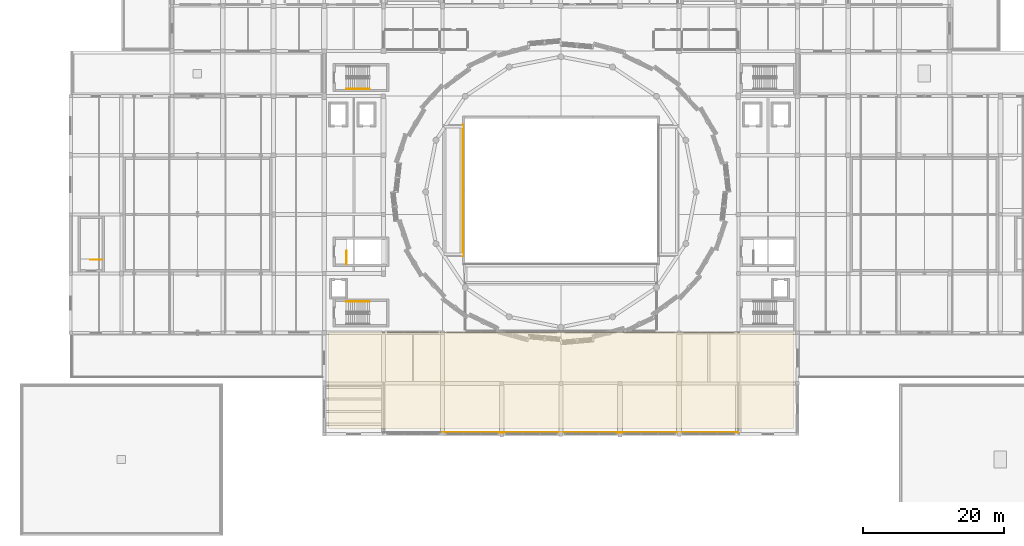
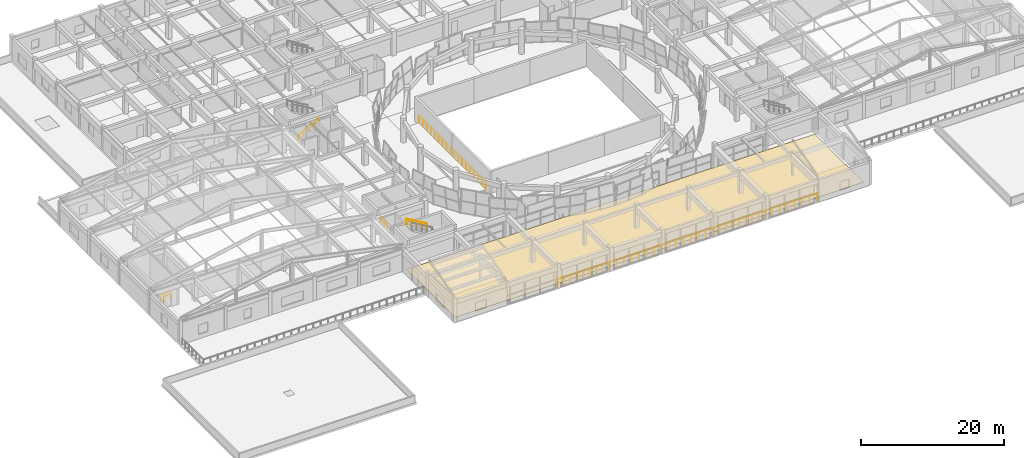
# One storey, part 69 of 74: 10 railings, 1 covering.
"""IFC4 building model written with IfcOpenShell, lengths in metres."""

from ifc_helpers import new_model, si_unit, direction, frame, origin, origin_2d, place, context, subcontext, project, spatial, polyline, circle, outline, extrude, material, layer, layer_set, type_object, element, save


model = new_model("IFC4")

# Units and contexts
model_context = context("Model", 3, precision=1e-05, world=origin(), true_north=direction((0.0, 1.0)))
body_context = subcontext(model_context, "Body", "Model", "MODEL_VIEW")
ifc_project = project(units=[si_unit("LENGTHUNIT", "METRE"), si_unit("AREAUNIT", "SQUARE_METRE"), si_unit("VOLUMEUNIT", "CUBIC_METRE"), si_unit("PLANEANGLEUNIT", "RADIAN"), si_unit("MASSUNIT", "GRAM", prefix="KILO")], contexts=[model_context])

# Site, building, storey
site_placement = place(None, origin())
site = spatial("IfcSite", under=ifc_project, at=site_placement, CompositionType="ELEMENT")
building_placement = place(site_placement, origin())
building = spatial("IfcBuilding", under=site, at=building_placement, Name="Korsvaeld Concert Hall", CompositionType="ELEMENT")
storey_placement = place(building_placement, frame((0.0, 0.0, 9.0)))
storey = spatial("IfcBuildingStorey", under=building, at=storey_placement, Name="L02", CompositionType="ELEMENT", Elevation=9.0)

# Covering
ifc_material_1 = material(Name="Sprung European oak stage and foyer flooring")
ifc_layer = layer(ifc_material_1, 0.034912109375)
ifc_layer_set = layer_set([ifc_layer], Name="Sprung European oak stage and foyer flooring")
covering_type = type_object("IfcCoveringType", Name="COV-FLOOR-OAK", PredefinedType="FLOORING", material=ifc_layer_set)
covering_placement = place(storey_placement, origin())
element("IfcCovering", 1, at=covering_placement, inside=storey, type_object=covering_type, Name="Sprung oak acoustic floor L02-03", PredefinedType="FLOORING", context=body_context, shape_type="SweptSolid", body=[
    extrude(outline(polyline([(51.0, 29.60009765625), (51.0, 43.199951171875), (117.0, 43.199951171875), (117.0, 29.60009765625), (51.0, 29.60009765625)])), origin(), (0.0, 0.0, 1.0), 0.034912109375),
])

# Railings
ifc_material_2 = material(Name="Powder-coated steel and bronze stair guardrail", Category="steel")
railing_type_1 = type_object("IfcRailingType", Name="RL-STAIR-GUARD-120", PredefinedType="GUARDRAIL", material=ifc_material_2)
railing_1_placement = place(storey_placement, frame((53.570068359375, 52.969970703125, 0.0)))
element("IfcRailing", 2, at=railing_1_placement, inside=storey, type_object=railing_type_1, Name="L02 ST-F1 top well guard 1", PredefinedType="GUARDRAIL", context=body_context, shape_type="SweptSolid", body=[
    extrude(circle(Radius=0.02392578125, at=origin_2d()), frame((0.0, 0.0, 1.076171875), z_axis=(0.0, 1.0, 0.0), x_axis=(-1.0, 0.0, 0.0)), (0.0, 0.0, 1.0), 1.85009765625),
    extrude(circle(Radius=0.02099609375, at=origin_2d()), origin(), (0.0, 0.0, 1.0), 1.052001953125),
    extrude(circle(Radius=0.02099609375, at=origin_2d()), frame((0.0, 0.925048828125, 0.0)), (0.0, 0.0, 1.0), 1.052001953125),
    extrude(circle(Radius=0.02099609375, at=origin_2d()), frame((0.0, 1.85009765625, 0.0)), (0.0, 0.0, 1.0), 1.052001953125),
])
railing_2_placement = place(storey_placement, frame((18.8701171875, 53.570068359375, 0.0)))
element("IfcRailing", 3, at=railing_2_placement, inside=storey, type_object=railing_type_1, Name="L02 ST-F3 top well guard 1", PredefinedType="GUARDRAIL", context=body_context, shape_type="SweptSolid", body=[
    extrude(circle(Radius=0.02392578125, at=origin_2d()), frame((0.0, 0.0, 1.076171875), z_axis=(-1.0, 0.0, 0.0), x_axis=(0.0, -1.0, 0.0)), (0.0, 0.0, 1.0), 1.650146484375),
    extrude(circle(Radius=0.02099609375, at=origin_2d()), origin(), (0.0, 0.0, 1.0), 1.052001953125),
    extrude(circle(Radius=0.02099609375, at=origin_2d()), frame((-0.8251953125, 0.0, 0.0)), (0.0, 0.0, 1.0), 1.052001953125),
    extrude(circle(Radius=0.02099609375, at=origin_2d()), frame((-1.650146484375, 0.0, 0.0)), (0.0, 0.0, 1.0), 1.052001953125),
])
ifc_material_3 = material(Name="European oak and bronze stair handrail")
railing_type_2 = type_object("IfcRailingType", Name="RL-STAIR-HAND-90", PredefinedType="HANDRAIL", material=ifc_material_3)
railing_3_placement = place(storey_placement, frame((53.52001953125, 77.820068359375, 0.175048828125)))
element("IfcRailing", 4, at=railing_3_placement, inside=storey, type_object=railing_type_2, Name="L02 ST-K1 stair handrail 1", PredefinedType="HANDRAIL", context=body_context, shape_type="SweptSolid", body=[
    extrude(circle(Radius=0.02392578125, at=origin_2d()), frame((0.0, 0.0, 0.8759765625), z_axis=(0.863776583165, 0.0, 0.503874998761), x_axis=(0.0, 1.0, 0.0)), (0.0, 0.0, 1.0), 3.820556640625),
    extrude(circle(Radius=0.02099609375, at=origin_2d()), origin(), (0.0, 0.0, 1.0), 0.851806640625),
    extrude(circle(Radius=0.02099609375, at=origin_2d()), frame((0.824951171875, 0.0, 0.481201171875)), (0.0, 0.0, 1.0), 0.851806640625),
    extrude(circle(Radius=0.02099609375, at=origin_2d()), frame((1.64990234375, 0.0, 0.96240234375)), (0.0, 0.0, 1.0), 0.851806640625),
    extrude(circle(Radius=0.02099609375, at=origin_2d()), frame((2.47509765625, 0.0, 1.44384765625)), (0.0, 0.0, 1.0), 0.851806640625),
    extrude(circle(Radius=0.02099609375, at=origin_2d()), frame((3.300048828125, 0.0, 1.925048828125)), (0.0, 0.0, 1.0), 0.851806640625),
])
railing_4_placement = place(storey_placement, frame((56.820068359375, 47.6201171875, 2.27490234375)))
element("IfcRailing", 5, at=railing_4_placement, inside=storey, type_object=railing_type_2, Name="L02 ST-K3 stair handrail 2", PredefinedType="HANDRAIL", context=body_context, shape_type="SweptSolid", body=[
    extrude(circle(Radius=0.02392578125, at=origin_2d()), frame((0.0, 0.0, 0.8759765625), z_axis=(-0.863776583165, 0.0, 0.503874998761), x_axis=(0.0, -1.0, 0.0)), (0.0, 0.0, 1.0), 3.820556640625),
    extrude(circle(Radius=0.02099609375, at=origin_2d()), origin(), (0.0, 0.0, 1.0), 0.851806640625),
    extrude(circle(Radius=0.02099609375, at=origin_2d()), frame((-0.824951171875, 0.0, 0.481201171875)), (0.0, 0.0, 1.0), 0.851806640625),
    extrude(circle(Radius=0.02099609375, at=origin_2d()), frame((-1.64990234375, 0.0, 0.96240234375)), (0.0, 0.0, 1.0), 0.851806640625),
    extrude(circle(Radius=0.02099609375, at=origin_2d()), frame((-2.47509765625, 0.0, 1.44384765625)), (0.0, 0.0, 1.0), 0.851806640625),
    extrude(circle(Radius=0.02099609375, at=origin_2d()), frame((-3.300048828125, 0.0, 1.925048828125)), (0.0, 0.0, 1.0), 0.851806640625),
])
ifc_material_4 = material(Name="Anodised architectural bronze guardrail")
railing_type_3 = type_object("IfcRailingType", Name="RL-TERR-GUARD-120", PredefinedType="GUARDRAIL", material=ifc_material_4)
railing_5_placement = place(storey_placement, frame((109.199951171875, 29.050048828125, 0.0)))
element("IfcRailing", 6, at=railing_5_placement, inside=storey, type_object=railing_type_3, Name="Wintergarden glazed front guardrail CW-FOY-L02-13", PredefinedType="GUARDRAIL", context=body_context, shape_type="SweptSolid", body=[
    extrude(circle(Radius=0.02392578125, at=origin_2d()), frame((0.0, 0.0, 1.17578125), z_axis=(-1.0, 0.0, 0.0), x_axis=(0.0, -1.0, 0.0)), (0.0, 0.0, 1.0), 8.39990234375),
    extrude(circle(Radius=0.02099609375, at=origin_2d()), origin(), (0.0, 0.0, 1.0), 1.15185546875),
    extrude(circle(Radius=0.02099609375, at=origin_2d()), frame((-1.199951171875, 0.0, 0.0)), (0.0, 0.0, 1.0), 1.15185546875),
    extrude(circle(Radius=0.02099609375, at=origin_2d()), frame((-2.39990234375, 0.0, 0.0)), (0.0, 0.0, 1.0), 1.15185546875),
    extrude(circle(Radius=0.02099609375, at=origin_2d()), frame((-3.599853515625, 0.0, 0.0)), (0.0, 0.0, 1.0), 1.15185546875),
    extrude(circle(Radius=0.02099609375, at=origin_2d()), frame((-4.800048828125, 0.0, 0.0)), (0.0, 0.0, 1.0), 1.15185546875),
    extrude(circle(Radius=0.02099609375, at=origin_2d()), frame((-6.0, 0.0, 0.0)), (0.0, 0.0, 1.0), 1.15185546875),
    extrude(circle(Radius=0.02099609375, at=origin_2d()), frame((-7.199951171875, 0.0, 0.0)), (0.0, 0.0, 1.0), 1.15185546875),
    extrude(circle(Radius=0.02099609375, at=origin_2d()), frame((-8.39990234375, 0.0, 0.0)), (0.0, 0.0, 1.0), 1.15185546875),
])
railing_6_placement = place(storey_placement, frame((100.800048828125, 29.050048828125, 0.0)))
element("IfcRailing", 7, at=railing_6_placement, inside=storey, type_object=railing_type_3, Name="Wintergarden glazed front guardrail CW-FOY-L02-14", PredefinedType="GUARDRAIL", context=body_context, shape_type="SweptSolid", body=[
    extrude(circle(Radius=0.02392578125, at=origin_2d()), frame((0.0, 0.0, 1.17578125), z_axis=(-1.0, 0.0, 0.0), x_axis=(0.0, -1.0, 0.0)), (0.0, 0.0, 1.0), 8.400146484375),
    extrude(circle(Radius=0.02099609375, at=origin_2d()), origin(), (0.0, 0.0, 1.0), 1.15185546875),
    extrude(circle(Radius=0.02099609375, at=origin_2d()), frame((-1.050048828125, 0.0, 0.0)), (0.0, 0.0, 1.0), 1.15185546875),
    extrude(circle(Radius=0.02099609375, at=origin_2d()), frame((-2.10009765625, 0.0, 0.0)), (0.0, 0.0, 1.0), 1.15185546875),
    extrude(circle(Radius=0.02099609375, at=origin_2d()), frame((-3.150146484375, 0.0, 0.0)), (0.0, 0.0, 1.0), 1.15185546875),
    extrude(circle(Radius=0.02099609375, at=origin_2d()), frame((-4.2001953125, 0.0, 0.0)), (0.0, 0.0, 1.0), 1.15185546875),
    extrude(circle(Radius=0.02099609375, at=origin_2d()), frame((-5.25, 0.0, 0.0)), (0.0, 0.0, 1.0), 1.15185546875),
    extrude(circle(Radius=0.02099609375, at=origin_2d()), frame((-6.300048828125, 0.0, 0.0)), (0.0, 0.0, 1.0), 1.15185546875),
    extrude(circle(Radius=0.02099609375, at=origin_2d()), frame((-7.35009765625, 0.0, 0.0)), (0.0, 0.0, 1.0), 1.15185546875),
    extrude(circle(Radius=0.02099609375, at=origin_2d()), frame((-8.400146484375, 0.0, 0.0)), (0.0, 0.0, 1.0), 1.15185546875),
])
for number, where, name in (
    (8, (92.39990234375, 29.050048828125, 0.0), "Wintergarden glazed front guardrail CW-FOY-L02-15"),
    (9, (84.0, 29.050048828125, 0.0), "Wintergarden glazed front guardrail CW-FOY-L02-16"),
):
    element("IfcRailing", number, at=place(storey_placement, frame(where)), inside=storey, type_object=railing_type_3, Name=name, PredefinedType="GUARDRAIL", context=body_context, shape_type="SweptSolid", body=[
        extrude(circle(Radius=0.02392578125, at=origin_2d()), frame((0.0, 0.0, 1.17578125), z_axis=(-1.0, 0.0, 0.0), x_axis=(0.0, -1.0, 0.0)), (0.0, 0.0, 1.0), 8.39990234375),
        extrude(circle(Radius=0.02099609375, at=origin_2d()), origin(), (0.0, 0.0, 1.0), 1.15185546875),
        extrude(circle(Radius=0.02099609375, at=origin_2d()), frame((-1.199951171875, 0.0, 0.0)), (0.0, 0.0, 1.0), 1.15185546875),
        extrude(circle(Radius=0.02099609375, at=origin_2d()), frame((-2.39990234375, 0.0, 0.0)), (0.0, 0.0, 1.0), 1.15185546875),
        extrude(circle(Radius=0.02099609375, at=origin_2d()), frame((-3.599853515625, 0.0, 0.0)), (0.0, 0.0, 1.0), 1.15185546875),
        extrude(circle(Radius=0.02099609375, at=origin_2d()), frame((-4.800048828125, 0.0, 0.0)), (0.0, 0.0, 1.0), 1.15185546875),
        extrude(circle(Radius=0.02099609375, at=origin_2d()), frame((-6.0, 0.0, 0.0)), (0.0, 0.0, 1.0), 1.15185546875),
        extrude(circle(Radius=0.02099609375, at=origin_2d()), frame((-7.199951171875, 0.0, 0.0)), (0.0, 0.0, 1.0), 1.15185546875),
        extrude(circle(Radius=0.02099609375, at=origin_2d()), frame((-8.39990234375, 0.0, 0.0)), (0.0, 0.0, 1.0), 1.15185546875),
    ])
railing_7_placement = place(storey_placement, frame((75.60009765625, 29.050048828125, 0.0)))
element("IfcRailing", 10, at=railing_7_placement, inside=storey, type_object=railing_type_3, Name="Wintergarden glazed front guardrail CW-FOY-L02-17", PredefinedType="GUARDRAIL", context=body_context, shape_type="SweptSolid", body=[
    extrude(circle(Radius=0.02392578125, at=origin_2d()), frame((0.0, 0.0, 1.17578125), z_axis=(-1.0, 0.0, 0.0), x_axis=(0.0, -1.0, 0.0)), (0.0, 0.0, 1.0), 8.400146484375),
    extrude(circle(Radius=0.02099609375, at=origin_2d()), origin(), (0.0, 0.0, 1.0), 1.15185546875),
    extrude(circle(Radius=0.02099609375, at=origin_2d()), frame((-1.050048828125, 0.0, 0.0)), (0.0, 0.0, 1.0), 1.15185546875),
    extrude(circle(Radius=0.02099609375, at=origin_2d()), frame((-2.10009765625, 0.0, 0.0)), (0.0, 0.0, 1.0), 1.15185546875),
    extrude(circle(Radius=0.02099609375, at=origin_2d()), frame((-3.150146484375, 0.0, 0.0)), (0.0, 0.0, 1.0), 1.15185546875),
    extrude(circle(Radius=0.02099609375, at=origin_2d()), frame((-4.2001953125, 0.0, 0.0)), (0.0, 0.0, 1.0), 1.15185546875),
    extrude(circle(Radius=0.02099609375, at=origin_2d()), frame((-5.25, 0.0, 0.0)), (0.0, 0.0, 1.0), 1.15185546875),
    extrude(circle(Radius=0.02099609375, at=origin_2d()), frame((-6.300048828125, 0.0, 0.0)), (0.0, 0.0, 1.0), 1.15185546875),
    extrude(circle(Radius=0.02099609375, at=origin_2d()), frame((-7.35009765625, 0.0, 0.0)), (0.0, 0.0, 1.0), 1.15185546875),
    extrude(circle(Radius=0.02099609375, at=origin_2d()), frame((-8.400146484375, 0.0, 0.0)), (0.0, 0.0, 1.0), 1.15185546875),
])
ifc_material_5 = material(Name="Acoustic laminated glass and oak auditorium balustrade", Category="glass")
railing_type_4 = type_object("IfcRailingType", Name="RL-VOID-BAL-120", PredefinedType="BALUSTRADE", material=ifc_material_5)
railing_8_placement = place(storey_placement, frame((70.1201171875, 54.080078125, 0.449951171875)))
element("IfcRailing", 11, at=railing_8_placement, inside=storey, type_object=railing_type_4, Name="Auditorium acoustic balustrade V1-CIRC2-W", PredefinedType="BALUSTRADE", context=body_context, shape_type="SweptSolid", body=[
    extrude(circle(Radius=0.02392578125, at=origin_2d()), frame((0.0, 0.0, 1.17578125), z_axis=(0.0, 1.0, 0.0), x_axis=(-1.0, 0.0, 0.0)), (0.0, 0.0, 1.0), 18.639892578125),
    extrude(circle(Radius=0.02099609375, at=origin_2d()), origin(), (0.0, 0.0, 1.0), 1.15185546875),
    extrude(circle(Radius=0.02099609375, at=origin_2d()), frame((0.0, 1.096435546875, 0.0)), (0.0, 0.0, 1.0), 1.15185546875),
    extrude(circle(Radius=0.02099609375, at=origin_2d()), frame((0.0, 2.19287109375, 0.0)), (0.0, 0.0, 1.0), 1.15185546875),
    extrude(circle(Radius=0.02099609375, at=origin_2d()), frame((0.0, 3.289306640625, 0.0)), (0.0, 0.0, 1.0), 1.15185546875),
    extrude(circle(Radius=0.02099609375, at=origin_2d()), frame((0.0, 4.3857421875, 0.0)), (0.0, 0.0, 1.0), 1.15185546875),
    extrude(circle(Radius=0.02099609375, at=origin_2d()), frame((0.0, 5.482421875, 0.0)), (0.0, 0.0, 1.0), 1.15185546875),
    extrude(circle(Radius=0.02099609375, at=origin_2d()), frame((0.0, 6.578857421875, 0.0)), (0.0, 0.0, 1.0), 1.15185546875),
    extrude(circle(Radius=0.02099609375, at=origin_2d()), frame((0.0, 7.67529296875, 0.0)), (0.0, 0.0, 1.0), 1.15185546875),
    extrude(circle(Radius=0.02099609375, at=origin_2d()), frame((0.0, 8.771728515625, 0.0)), (0.0, 0.0, 1.0), 1.15185546875),
    extrude(circle(Radius=0.02099609375, at=origin_2d()), frame((0.0, 9.8681640625, 0.0)), (0.0, 0.0, 1.0), 1.15185546875),
    extrude(circle(Radius=0.02099609375, at=origin_2d()), frame((0.0, 10.964599609375, 0.0)), (0.0, 0.0, 1.0), 1.15185546875),
    extrude(circle(Radius=0.02099609375, at=origin_2d()), frame((0.0, 12.06103515625, 0.0)), (0.0, 0.0, 1.0), 1.15185546875),
    extrude(circle(Radius=0.02099609375, at=origin_2d()), frame((0.0, 13.157470703125, 0.0)), (0.0, 0.0, 1.0), 1.15185546875),
    extrude(circle(Radius=0.02099609375, at=origin_2d()), frame((0.0, 14.254150390625, 0.0)), (0.0, 0.0, 1.0), 1.15185546875),
    extrude(circle(Radius=0.02099609375, at=origin_2d()), frame((0.0, 15.3505859375, 0.0)), (0.0, 0.0, 1.0), 1.15185546875),
    extrude(circle(Radius=0.02099609375, at=origin_2d()), frame((0.0, 16.447021484375, 0.0)), (0.0, 0.0, 1.0), 1.15185546875),
    extrude(circle(Radius=0.02099609375, at=origin_2d()), frame((0.0, 17.54345703125, 0.0)), (0.0, 0.0, 1.0), 1.15185546875),
    extrude(circle(Radius=0.02099609375, at=origin_2d()), frame((0.0, 18.639892578125, 0.0)), (0.0, 0.0, 1.0), 1.15185546875),
])

save(model, "model.ifc")
